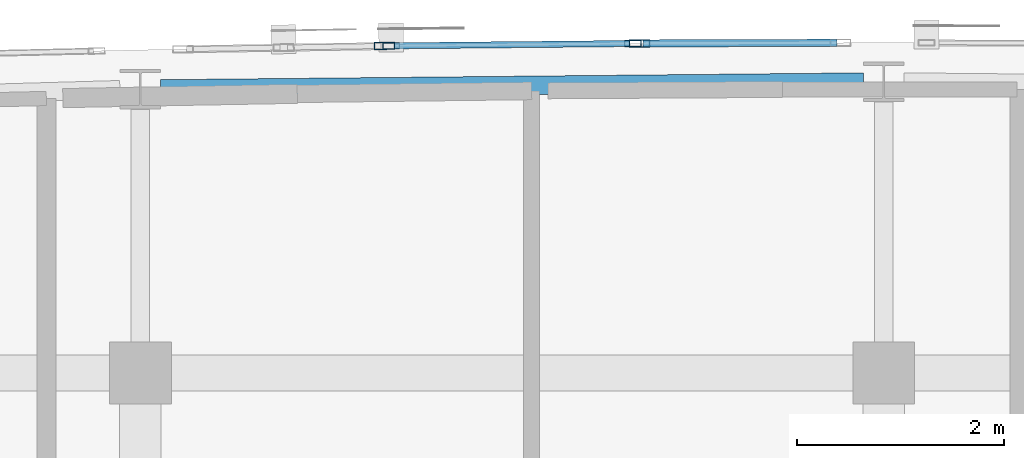
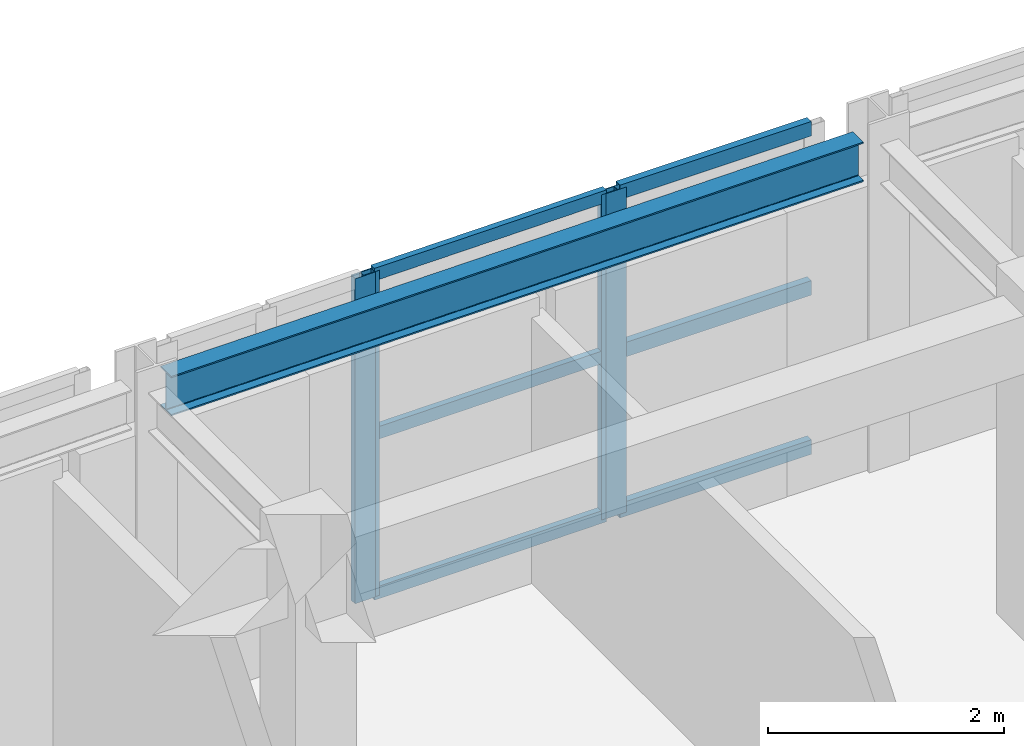
# One storey, part 16 of 45: 10 members, 1 beam, 3 elements without a shape of their own.
"""IFC4 building model written with IfcOpenShell, lengths in metres."""

from ifc_helpers import new_model, si_unit, direction, frame, origin, origin_2d, place, context, subcontext, project, spatial, hollow_rectangle, i_section, extrude, material, layer, layer_set, material_profile, profile_set, type_object, element, aggregate, save


model = new_model("IFC4")

# Units and contexts
model_context = context("Model", 3, precision=1e-05, world=origin(), true_north=direction((0.0, 1.0)))
body_context = subcontext(model_context, "Body", "Model", "MODEL_VIEW")
ifc_project = project(units=[si_unit("LENGTHUNIT", "METRE"), si_unit("AREAUNIT", "SQUARE_METRE"), si_unit("VOLUMEUNIT", "CUBIC_METRE"), si_unit("PLANEANGLEUNIT", "RADIAN"), si_unit("MASSUNIT", "GRAM", prefix="KILO")], contexts=[model_context])

# Site, building, storey
site_placement = place(None, origin())
site = spatial("IfcSite", under=ifc_project, at=site_placement, CompositionType="ELEMENT")
building_placement = place(site_placement, origin())
building = spatial("IfcBuilding", under=site, at=building_placement, Name="Carrowvane Square Congress Hotel", CompositionType="ELEMENT")
storey_placement = place(building_placement, frame((0.0, 0.0, 33.60009765625)))
storey = spatial("IfcBuildingStorey", under=building, at=storey_placement, Name="L08", CompositionType="ELEMENT", Elevation=33.60009765625)

# Beam
ifc_material_1 = material(Name="Steel S355", Category="steel")
ifc_material_profile_1 = material_profile(ifc_material_1, i_section(OverallWidth=0.1787109375, OverallDepth=0.409423828125, WebThickness=0.0087890625, FlangeThickness=0.014404296875, FilletRadius=0.01025390625, at=origin_2d()), Name="UKB 406x178x67")
ifc_profile_set_1 = profile_set([ifc_material_profile_1], Name="Steel S355")
beam_type = type_object("IfcBeamType", Name="BM-ST-UKB406", PredefinedType="BEAM", material=ifc_profile_set_1)
beam_placement = place(storey_placement, frame((90.997314453125, 116.151611328125, 3.1552734375), z_axis=(0.99995239219, 0.009757733037, 0.0), x_axis=(-0.009757733037, 0.99995239219, 0.0)))
element("IfcBeam", 1, at=beam_placement, inside=storey, type_object=beam_type, Name="L09 curved north spandrel", PredefinedType="BEAM", context=body_context, shape_type="SweptSolid", body=[
    extrude(i_section(OverallWidth=0.1787109375, OverallDepth=0.409423828125, WebThickness=0.0087890625, FlangeThickness=0.014404296875, FilletRadius=0.01025390625, at=origin_2d()), origin(), (0.0, 0.0, 1.0), 6.805419921875),
])

# Curtain wall, members
ifc_material_2 = material(Name="Anodised aluminium", Category="aluminium")
ifc_layer_1 = layer(ifc_material_2, 0.162109375)
ifc_layer_set_1 = layer_set([ifc_layer_1], Name="Anodised aluminium")
curtain_wall_type_1 = type_object("IfcCurtainWallType", Name="CW-SYS-1", PredefinedType="NOTDEFINED", material=ifc_layer_set_1)
curtain_wall_1_placement = place(storey_placement, origin())
curtain_wall_1 = element("IfcCurtainWall", 2, at=curtain_wall_1_placement, inside=storey, type_object=curtain_wall_type_1, Name="L08 unitised curtain wall 480", PredefinedType="NOTDEFINED")
ifc_material_3 = material(Name="Anodised aluminium", Category="aluminium")
ifc_material_profile_2 = material_profile(ifc_material_3, hollow_rectangle(XDim=0.06005859375, YDim=0.159912109375, WallThickness=0.00390625, at=origin_2d()), Name="CW-ML 60x160x4")
ifc_profile_set_2 = profile_set([ifc_material_profile_2], Name="Anodised aluminium")
member_type_1 = type_object("IfcMemberType", Name="CW-MUL-1", PredefinedType="MULLION", material=ifc_profile_set_2)
member_1_placement = place(storey_placement, frame((93.22998046875, 116.56884765625, 0.0), z_axis=(0.0, 0.0, 1.0), x_axis=(-0.009782905924, 0.999952146231, 0.0)))
member_1 = element("IfcMember", 3, at=member_1_placement, type_object=member_type_1, Name="CW-1 mullion 1", PredefinedType="MULLION", context=body_context, shape_type="SweptSolid", body=[
    extrude(hollow_rectangle(XDim=0.06005859375, YDim=0.159912109375, WallThickness=0.00390625, at=origin_2d()), origin(), (0.0, 0.0, 1.0), 3.35986328125),
])
member_2_placement = place(storey_placement, frame((95.570068359375, 116.591796875, 0.0), z_axis=(0.0, 0.0, 1.0), x_axis=(-0.009782905924, 0.999952146231, 0.0)))
member_2 = element("IfcMember", 4, at=member_2_placement, type_object=member_type_1, Name="CW-1 mullion 2", PredefinedType="MULLION", context=body_context, shape_type="SweptSolid", body=[
    extrude(hollow_rectangle(XDim=0.06005859375, YDim=0.159912109375, WallThickness=0.00390625, at=origin_2d()), origin(), (0.0, 0.0, 1.0), 3.35986328125),
])

# Curtain wall, member
ifc_material_4 = material(Name="Anodised aluminium", Category="aluminium")
ifc_layer_2 = layer(ifc_material_4, 0.24609375)
ifc_layer_set_2 = layer_set([ifc_layer_2], Name="Anodised aluminium")
curtain_wall_type_2 = type_object("IfcCurtainWallType", Name="CW-SYS-8", PredefinedType="NOTDEFINED", material=ifc_layer_set_2)
curtain_wall_2_placement = place(storey_placement, origin())
curtain_wall_2 = element("IfcCurtainWall", 5, at=curtain_wall_2_placement, inside=storey, type_object=curtain_wall_type_2, Name="L08 unitised curtain wall 479", PredefinedType="NOTDEFINED")
ifc_material_5 = material(Name="Anodised aluminium", Category="aluminium")
ifc_material_profile_3 = material_profile(ifc_material_5, hollow_rectangle(XDim=0.070068359375, YDim=0.199951171875, WallThickness=0.0048828125, at=origin_2d()), Name="CW-ML 70x200x5")
ifc_profile_set_3 = profile_set([ifc_material_profile_3], Name="Anodised aluminium")
member_type_2 = type_object("IfcMemberType", Name="CW-MUL-2", PredefinedType="MULLION", material=ifc_profile_set_3)
member_3_placement = place(storey_placement, frame((93.1650390625, 116.568115234375, 0.0), z_axis=(0.0, 0.0, 1.0), x_axis=(-0.016215981364, 0.99986851233, 0.0)))
member_3 = element("IfcMember", 6, at=member_3_placement, type_object=member_type_2, Name="CW-8 mullion 3", PredefinedType="MULLION", context=body_context, shape_type="SweptSolid", body=[
    extrude(hollow_rectangle(XDim=0.070068359375, YDim=0.199951171875, WallThickness=0.0048828125, at=origin_2d()), origin(), (0.0, 0.0, 1.0), 3.35986328125),
])
aggregate(curtain_wall_2, [member_3])

ifc_material_6 = material(Name="Anodised aluminium", Category="aluminium")
ifc_layer_3 = layer(ifc_material_6, 0.174072265625)
ifc_layer_set_3 = layer_set([ifc_layer_3], Name="Anodised aluminium")
curtain_wall_type_3 = type_object("IfcCurtainWallType", Name="CW-SYS-2", PredefinedType="NOTDEFINED", material=ifc_layer_set_3)
curtain_wall_3_placement = place(storey_placement, origin())
curtain_wall_3 = element("IfcCurtainWall", 7, at=curtain_wall_3_placement, inside=storey, type_object=curtain_wall_type_3, Name="L08 unitised curtain wall 481", PredefinedType="NOTDEFINED")
member_4_placement = place(storey_placement, frame((95.635009765625, 116.59228515625, 0.0), z_axis=(0.0, 0.0, 1.0), x_axis=(-0.003270307911, 0.999994652529, 0.0)))
member_4 = element("IfcMember", 8, at=member_4_placement, type_object=member_type_2, Name="CW-2 mullion 1", PredefinedType="MULLION", context=body_context, shape_type="SweptSolid", body=[
    extrude(hollow_rectangle(XDim=0.070068359375, YDim=0.199951171875, WallThickness=0.0048828125, at=origin_2d()), origin(), (0.0, 0.0, 1.0), 3.35986328125),
])

# Member
ifc_material_7 = material(Name="Anodised aluminium", Category="aluminium")
ifc_material_profile_4 = material_profile(ifc_material_7, hollow_rectangle(XDim=0.06005859375, YDim=0.1298828125, WallThickness=0.00390625, at=origin_2d()), Name="CW-TR 60x130x4")
ifc_profile_set_4 = profile_set([ifc_material_profile_4], Name="Anodised aluminium")
member_type_3 = type_object("IfcMemberType", Name="CW-TRN-1", PredefinedType="USERDEFINED", material=ifc_profile_set_4)
member_5_placement = place(storey_placement, frame((93.260009765625, 116.5693359375, 0.02978515625), z_axis=(0.999952529794, 0.009743621395, 0.0), x_axis=(-0.009743621395, 0.999952529794, 0.0)))
member_5 = element("IfcMember", 9, at=member_5_placement, type_object=member_type_3, Name="CW-1 transom 1.1", ObjectType="TRANSOM", PredefinedType="USERDEFINED", context=body_context, shape_type="SweptSolid", body=[
    extrude(hollow_rectangle(XDim=0.06005859375, YDim=0.1298828125, WallThickness=0.00390625, at=origin_2d()), origin(), (0.0, 0.0, 1.0), 2.280029296875),
])

member_6_placement = place(storey_placement, frame((93.260009765625, 116.5693359375, 1.679931640625), z_axis=(0.999952529794, 0.009743621395, 0.0), x_axis=(-0.009743621395, 0.999952529794, 0.0)))
member_6 = element("IfcMember", 10, at=member_6_placement, type_object=member_type_3, Name="CW-1 transom 1.2", ObjectType="TRANSOM", PredefinedType="USERDEFINED", context=body_context, shape_type="SweptSolid", body=[
    extrude(hollow_rectangle(XDim=0.06005859375, YDim=0.1298828125, WallThickness=0.00390625, at=origin_2d()), origin(), (0.0, 0.0, 1.0), 2.280029296875),
])

member_7_placement = place(storey_placement, frame((93.260009765625, 116.5693359375, 3.329833984375), z_axis=(0.999952529794, 0.009743621395, 0.0), x_axis=(-0.009743621395, 0.999952529794, 0.0)))
member_7 = element("IfcMember", 11, at=member_7_placement, type_object=member_type_3, Name="CW-1 transom 1.3", ObjectType="TRANSOM", PredefinedType="USERDEFINED", context=body_context, shape_type="SweptSolid", body=[
    extrude(hollow_rectangle(XDim=0.06005859375, YDim=0.1298828125, WallThickness=0.00390625, at=origin_2d()), origin(), (0.0, 0.0, 1.0), 2.280029296875),
])

aggregate(curtain_wall_1, [member_1, member_2, member_5, member_6, member_7])

ifc_material_8 = material(Name="Anodised aluminium", Category="aluminium")
ifc_material_profile_5 = material_profile(ifc_material_8, hollow_rectangle(XDim=0.070068359375, YDim=0.14990234375, WallThickness=0.0048828125, at=origin_2d()), Name="CW-TR 70x150x5")
ifc_profile_set_5 = profile_set([ifc_material_profile_5], Name="Anodised aluminium")
member_type_4 = type_object("IfcMemberType", Name="CW-TRN-2", PredefinedType="USERDEFINED", material=ifc_profile_set_5)
member_8_placement = place(storey_placement, frame((95.669921875, 116.59228515625, 0.034912109375), z_axis=(0.999994271018, 0.003384956522, 0.0), x_axis=(-0.003384956522, 0.999994271018, 0.0)))
member_8 = element("IfcMember", 12, at=member_8_placement, type_object=member_type_4, Name="CW-2 transom 1.1", ObjectType="TRANSOM", PredefinedType="USERDEFINED", context=body_context, shape_type="SweptSolid", body=[
    extrude(hollow_rectangle(XDim=0.070068359375, YDim=0.14990234375, WallThickness=0.0048828125, at=origin_2d()), origin(), (0.0, 0.0, 1.0), 1.875244140625),
])

member_9_placement = place(storey_placement, frame((95.669921875, 116.59228515625, 1.679931640625), z_axis=(0.999994271018, 0.003384956522, 0.0), x_axis=(-0.003384956522, 0.999994271018, 0.0)))
member_9 = element("IfcMember", 13, at=member_9_placement, type_object=member_type_4, Name="CW-2 transom 1.2", ObjectType="TRANSOM", PredefinedType="USERDEFINED", context=body_context, shape_type="SweptSolid", body=[
    extrude(hollow_rectangle(XDim=0.070068359375, YDim=0.14990234375, WallThickness=0.0048828125, at=origin_2d()), origin(), (0.0, 0.0, 1.0), 1.875244140625),
])

member_10_placement = place(storey_placement, frame((95.669921875, 116.59228515625, 3.324951171875), z_axis=(0.999994271018, 0.003384956522, 0.0), x_axis=(-0.003384956522, 0.999994271018, 0.0)))
member_10 = element("IfcMember", 14, at=member_10_placement, type_object=member_type_4, Name="CW-2 transom 1.3", ObjectType="TRANSOM", PredefinedType="USERDEFINED", context=body_context, shape_type="SweptSolid", body=[
    extrude(hollow_rectangle(XDim=0.070068359375, YDim=0.14990234375, WallThickness=0.0048828125, at=origin_2d()), origin(), (0.0, 0.0, 1.0), 1.875244140625),
])

aggregate(curtain_wall_3, [member_4, member_8, member_9, member_10])

save(model, "model.ifc")
